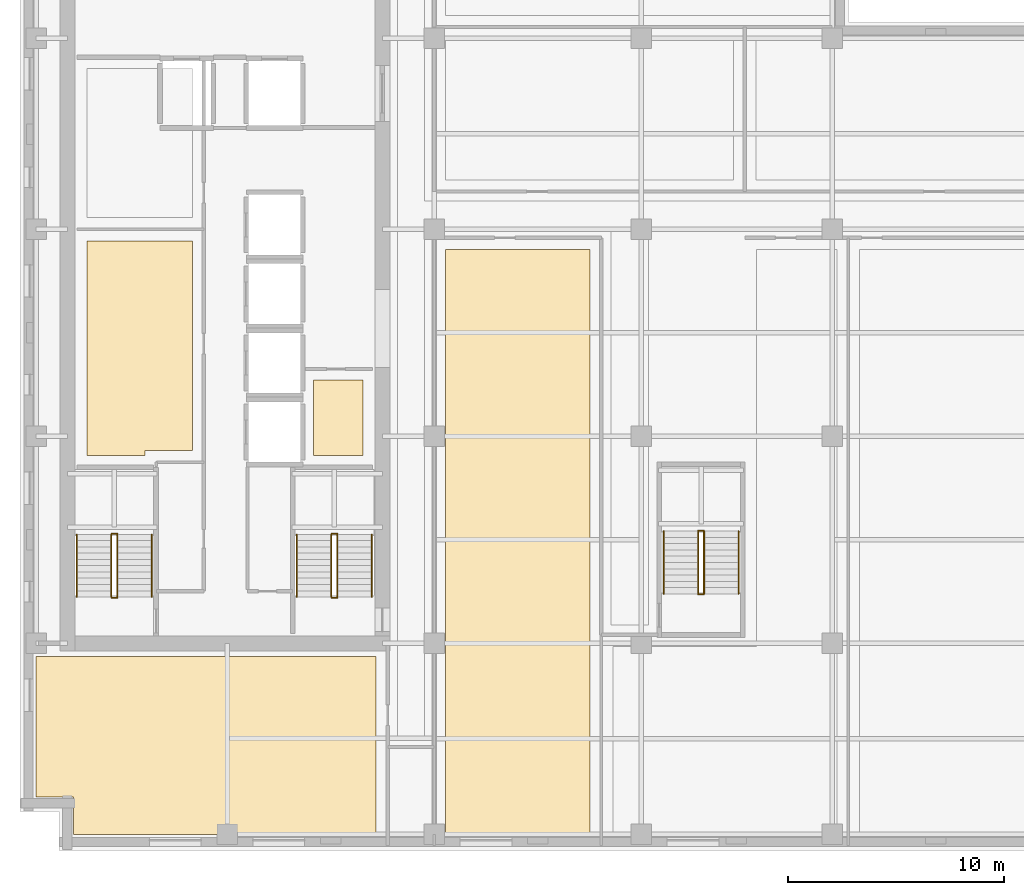
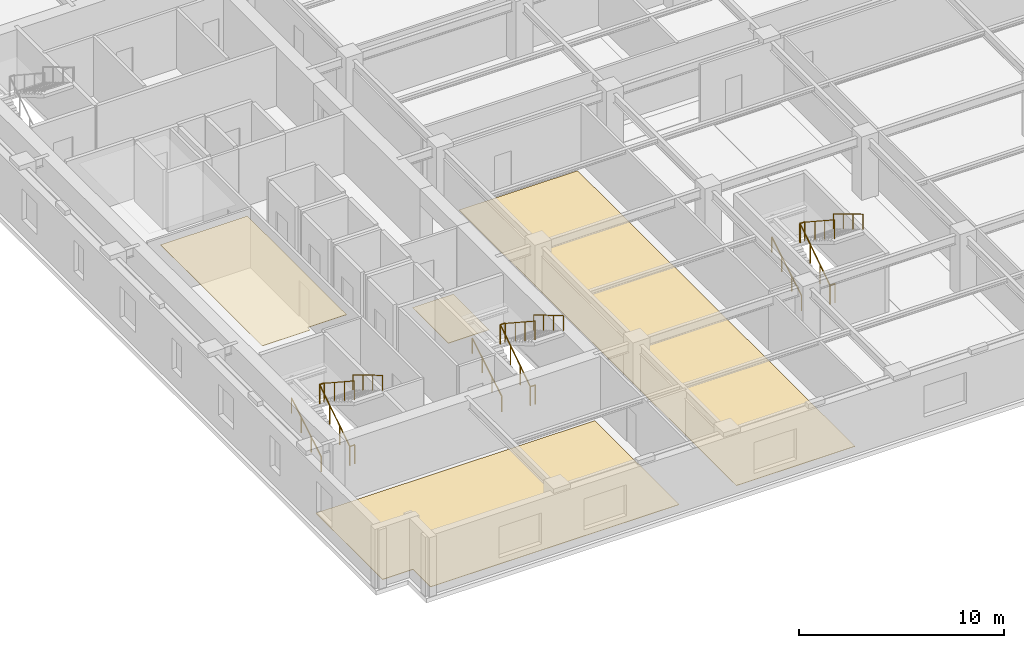
# One storey, part 8 of 12: 18 railings, 4 coverings.
"""IFC4 building model written with IfcOpenShell, lengths in metres."""

import ifcopenshell
import ifcopenshell.guid

model = None  # the IFC model being written
_history = None  # IfcOwnerHistory: only IFC2X3 demands one
_inside = {}  # id of a spatial element -> (the spatial element, [elements in it])
_under = {}  # id of a project, library or spatial element -> (it, [spatial elements below it])
_declared = {}  # id of a project -> (the project, [libraries it declares])
_typed = {}  # id of a type object -> (the type object, [elements of that type])
_made_of = {}  # id of a material, layer set ... -> (it, [elements and type objects made of it])


def new_model(schema):
    """Start an empty IFC model of exactly this schema.

    Asked for "IFC4X3", IfcOpenShell would pick the latest addendum, in which some entities
    have other attributes; the version numbers below select the first issue.
    IFC2X3 requires an IfcOwnerHistory on every rooted entity: one is made here for all.
    """
    global model, _history
    if schema == "IFC4X3":
        model = ifcopenshell.file(schema_version=(4, 3, 0, 0))
    else:
        model = ifcopenshell.file(schema=schema)
    _inside.clear()
    _under.clear()
    _declared.clear()
    _typed.clear()
    _made_of.clear()
    _history = None
    if model.schema == "IFC2X3":
        org = make("IfcOrganization", Name="unknown")
        user = make(
            "IfcPersonAndOrganization",
            ThePerson=make("IfcPerson", FamilyName="unknown"),
            TheOrganization=org,
        )
        app = make(
            "IfcApplication",
            ApplicationDeveloper=org,
            Version="unknown",
            ApplicationFullName="unknown",
            ApplicationIdentifier="unknown",
        )
        _history = make(
            "IfcOwnerHistory",
            OwningUser=user,
            OwningApplication=app,
            ChangeAction="ADDED",
            CreationDate=0,
        )
    return model


def make(cls, **values):
    """One entity of the class cls with the attributes given. An attribute that is None is left unset."""
    return model.create_entity(
        cls, **{name: value for name, value in values.items() if value is not None}
    )


def rooted(cls, **values):
    """An entity with a GlobalId (a new one), such as an element, a storey or a relation."""
    return make(cls, GlobalId=ifcopenshell.guid.new(), OwnerHistory=_history, **values)


def si_unit(unit_type, name, prefix=None):
    """IfcSIUnit, for example si_unit("LENGTHUNIT", "METRE", prefix="MILLI")."""
    return make("IfcSIUnit", UnitType=unit_type, Prefix=prefix, Name=name)


def assignment(units):
    """IfcUnitAssignment: the units of a project."""
    return None if units is None else make("IfcUnitAssignment", Units=units)


def point(xyz):
    """IfcCartesianPoint."""
    return None if xyz is None else make("IfcCartesianPoint", Coordinates=xyz)


def direction(xyz):
    """IfcDirection."""
    return None if xyz is None else make("IfcDirection", DirectionRatios=xyz)


def frame(location, z_axis=None, x_axis=None):
    """IfcAxis2Placement3D, a coordinate frame: its origin and axes. An axis left out is left unset."""
    return make(
        "IfcAxis2Placement3D",
        Location=point(location),
        Axis=direction(z_axis),
        RefDirection=direction(x_axis),
    )


def frame_2d(location, x_axis=None):
    """IfcAxis2Placement2D, a coordinate frame in the plane: its origin and x axis."""
    return make(
        "IfcAxis2Placement2D", Location=point(location), RefDirection=direction(x_axis)
    )


def origin():
    """The frame at (0, 0, 0) with its axes left unset."""
    return frame((0.0, 0.0, 0.0))


def origin_2d():
    """The frame at (0, 0) in the plane with its x axis left unset."""
    return frame_2d((0.0, 0.0))


def place(relative_to, where):
    """IfcLocalPlacement: puts the frame where relative to a parent placement (None: the world)."""
    return make(
        "IfcLocalPlacement", PlacementRelTo=relative_to, RelativePlacement=where
    )


def context(
    kind, dimensions, precision=None, world=None, true_north=None, identifier=None
):
    """IfcGeometricRepresentationContext, for example the 3D "Model" context."""
    return make(
        "IfcGeometricRepresentationContext",
        ContextIdentifier=identifier,
        ContextType=kind,
        CoordinateSpaceDimension=dimensions,
        Precision=precision,
        WorldCoordinateSystem=world,
        TrueNorth=true_north,
    )


def subcontext(parent, identifier, kind, view, scale=None):
    """IfcGeometricRepresentationSubContext, for example "Body" below "Model"."""
    return make(
        "IfcGeometricRepresentationSubContext",
        ContextIdentifier=identifier,
        ContextType=kind,
        ParentContext=parent,
        TargetScale=scale,
        TargetView=view,
    )


def project(units=None, contexts=None):
    """IfcProject with its units and contexts."""
    return rooted(
        "IfcProject",
        Name="project",
        RepresentationContexts=contexts,
        UnitsInContext=assignment(units),
    )


def spatial(cls, under=None, at=None, **own):
    """A site, building, storey or space (cls), placed at a placement, below another one or the project."""
    s = rooted(cls, ObjectPlacement=at, **own)
    if under is not None:
        _under.setdefault(under.id(), (under, []))[1].append(s)
    return s


def polyline(points):
    """IfcPolyline through the points."""
    return make("IfcPolyline", Points=[point(p) for p in points])


def profile(cls, at=None, kind="AREA", **sizes):
    """A parametric profile (cls). Its sizes go by their IFC names, for example OverallWidth=200.0."""
    return make(cls, ProfileType=kind, Position=at, **sizes)


def circle(**sizes):
    """IfcCircleProfileDef."""
    return profile("IfcCircleProfileDef", **sizes)


def outline(outer, holes=None, kind="AREA"):
    """IfcArbitraryClosedProfileDef: a profile drawn as a closed curve; with holes, ...WithVoids."""
    if holes is None:
        return make("IfcArbitraryClosedProfileDef", ProfileType=kind, OuterCurve=outer)
    return make(
        "IfcArbitraryProfileDefWithVoids",
        ProfileType=kind,
        OuterCurve=outer,
        InnerCurves=holes,
    )


def extrude(swept, where, along, depth):
    """IfcExtrudedAreaSolid: the profile swept, set in the frame where, extruded along a direction by depth."""
    return make(
        "IfcExtrudedAreaSolid",
        SweptArea=swept,
        Position=where,
        ExtrudedDirection=direction(along),
        Depth=depth,
    )


def shape(context_of_items, identifier, shape_type, items):
    """IfcShapeRepresentation: the items that make up one representation, for example the "Body"."""
    return make(
        "IfcShapeRepresentation",
        ContextOfItems=context_of_items,
        RepresentationIdentifier=identifier,
        RepresentationType=shape_type,
        Items=items,
    )


def material(Name=None, Category=None):
    """IfcMaterial."""
    return make("IfcMaterial", Name=Name, Category=Category)


def layer(
    of_material, thickness, ventilated=None, Name=None, Category=None, Priority=None
):
    """IfcMaterialLayer: one layer of a wall or slab, of a material (None: an air gap)."""
    return make(
        "IfcMaterialLayer",
        Material=of_material,
        LayerThickness=thickness,
        IsVentilated=ventilated,
        Name=Name,
        Category=Category,
        Priority=Priority,
    )


def layer_set(layers, Name=None):
    """IfcMaterialLayerSet."""
    return make("IfcMaterialLayerSet", MaterialLayers=layers, LayerSetName=Name)


def made_of(thing, what):
    """Note that an element or type object is made of a material, layer set ...; save() writes the relation."""
    if what is not None:
        _made_of.setdefault(what.id(), (what, []))[1].append(thing)
    return thing


def type_object(cls, material=None, **own):
    """A type object (cls), such as IfcWallType, which elements share."""
    return made_of(rooted(cls, **own), material)


def element(
    cls,
    number,
    at=None,
    inside=None,
    cuts=None,
    type_object=None,
    material=None,
    context=None,
    identifier="Body",
    shape_type=None,
    held_by="IfcProductDefinitionShape",
    body=None,
    shapes=None,
    **own,
):
    """One element of the class cls, such as IfcWall. Its Tag is "e" and its number.

    at: its placement. inside: the storey or other place that contains it. cuts: it is an
    opening in that element (IfcRelVoidsElement). A single representation is given by context,
    identifier, shape_type and body (its items); several are given by shapes. held_by: the class
    of the entity that holds the representations. save() writes the other relations.
    """
    e = rooted(cls, Tag="e%d" % number, ObjectPlacement=at, **own)
    if body is not None:
        shapes = [shape(context, identifier, shape_type, body)]
    if shapes is not None:
        e.Representation = make(held_by, Representations=shapes)
    if inside is not None:
        _inside.setdefault(inside.id(), (inside, []))[1].append(e)
    if cuts is not None:
        rooted(
            "IfcRelVoidsElement", RelatingBuildingElement=cuts, RelatedOpeningElement=e
        )
    if type_object is not None:
        _typed.setdefault(type_object.id(), (type_object, []))[1].append(e)
    return made_of(e, material)


def aggregate(whole, parts):
    """IfcRelAggregates: a whole, such as a stair, and the parts it consists of."""
    return rooted("IfcRelAggregates", RelatingObject=whole, RelatedObjects=parts)


def save(model, path):
    """Write the relations noted so far, then the file.

    IfcRelAggregates (storeys below a building ...), IfcRelContainedInSpatialStructure (elements
    in a storey), IfcRelDefinesByType, IfcRelAssociatesMaterial and IfcRelDeclares: one each for
    every whole, place, type object, material and project.
    """
    for whole, parts in _under.values():
        aggregate(whole, parts)
    for where, things in _inside.values():
        rooted(
            "IfcRelContainedInSpatialStructure",
            RelatedElements=things,
            RelatingStructure=where,
        )
    for kind, things in _typed.values():
        rooted("IfcRelDefinesByType", RelatedObjects=things, RelatingType=kind)
    for what, things in _made_of.values():
        rooted("IfcRelAssociatesMaterial", RelatedObjects=things, RelatingMaterial=what)
    for by, libraries in _declared.values():
        rooted("IfcRelDeclares", RelatingContext=by, RelatedDefinitions=libraries)
    model.write(path)


model = new_model("IFC4")

# Units and contexts
model_context = context("Model", 3, precision=1e-05, world=origin(), true_north=direction((0.0, 1.0)))
body_context = subcontext(model_context, "Body", "Model", "MODEL_VIEW")
ifc_project = project(units=[si_unit("LENGTHUNIT", "METRE"), si_unit("AREAUNIT", "SQUARE_METRE"), si_unit("VOLUMEUNIT", "CUBIC_METRE"), si_unit("PLANEANGLEUNIT", "RADIAN"), si_unit("MASSUNIT", "GRAM", prefix="KILO")], contexts=[model_context])

# Site, building, storey
site_placement = place(None, origin())
site = spatial("IfcSite", under=ifc_project, at=site_placement, CompositionType="ELEMENT")
building_placement = place(site_placement, origin())
building = spatial("IfcBuilding", under=site, at=building_placement, Name="Norrvale University Quadrangle", CompositionType="ELEMENT")
storey_placement = place(building_placement, frame((0.0, 0.0, 182.60009765625)))
storey = spatial("IfcBuildingStorey", under=building, at=storey_placement, Name="L46", CompositionType="ELEMENT", Elevation=182.60009765625)

# Coverings
ifc_material_1 = material(Name="Perforated Acoustic Mineral Ceiling")
ifc_layer_1 = layer(ifc_material_1, 0.02490234375, Name="Perforated Acoustic Mineral Ceiling")
ifc_layer_set_1 = layer_set([ifc_layer_1], Name="Perforated Acoustic Mineral Ceiling")
covering_type_1 = type_object("IfcCoveringType", Name="Covering Acoustic Ceiling 25", PredefinedType="CEILING", material=ifc_layer_set_1)
covering_1_placement = place(storey_placement, frame((0.0, 0.0, 3.514892578125)))
element("IfcCovering", 1, at=covering_1_placement, inside=storey, type_object=covering_type_1, Name="Acoustic Ceiling RM-L46-REC2", PredefinedType="CEILING", context=body_context, shape_type="SweptSolid", body=[
    extrude(outline(polyline([(3.10009765625, 18.300048828125), (3.10009765625, 28.25), (8.0, 28.25), (8.0, 18.550048828125), (5.800048828125, 18.550048828125), (5.800048828125, 18.300048828125), (3.10009765625, 18.300048828125)])), origin(), (0.0, 0.0, 1.0), 0.02490234375),
])
ifc_material_2 = material(Name="Polished Terrazzo Flooring")
ifc_layer_2 = layer(ifc_material_2, 0.02490234375, Name="Polished Terrazzo Flooring")
ifc_layer_set_2 = layer_set([ifc_layer_2], Name="Polished Terrazzo Flooring")
covering_type_2 = type_object("IfcCoveringType", Name="Covering Terrazzo Floor 30", PredefinedType="FLOORING", material=ifc_layer_set_2)
covering_2_placement = place(storey_placement, origin())
element("IfcCovering", 2, at=covering_2_placement, inside=storey, type_object=covering_type_2, Name="Terrazzo Flooring RM-L46-JAN", PredefinedType="FLOORING", context=body_context, shape_type="SweptSolid", body=[
    extrude(outline(polyline([(13.60009765625, 18.300048828125), (13.60009765625, 21.800048828125), (15.89990234375, 21.800048828125), (15.89990234375, 18.300048828125), (13.60009765625, 18.300048828125)])), origin(), (0.0, 0.0, 1.0), 0.02490234375),
])
covering_3_placement = place(storey_placement, origin())
element("IfcCovering", 3, at=covering_3_placement, inside=storey, type_object=covering_type_2, Name="Terrazzo Flooring RM-L46-SW1", PredefinedType="FLOORING", context=body_context, shape_type="SweptSolid", body=[
    extrude(outline(polyline([(0.75, 9.0), (16.5, 9.0), (16.5, 0.75), (2.469970703125, 0.75), (2.469970703125, 2.469970703125), (0.75, 2.469970703125), (0.75, 9.0)])), origin(), (0.0, 0.0, 1.0), 0.02490234375),
])
covering_4_placement = place(storey_placement, origin())
element("IfcCovering", 4, at=covering_4_placement, inside=storey, type_object=covering_type_2, Name="Terrazzo Flooring RM-L46-SE1", PredefinedType="FLOORING", context=body_context, shape_type="SweptSolid", body=[
    extrude(outline(polyline([(19.72998046875, 27.8701171875), (26.419921875, 27.8701171875), (26.419921875, 0.75), (19.72998046875, 0.75), (19.72998046875, 27.8701171875)])), origin(), (0.0, 0.0, 1.0), 0.02490234375),
])

# Railings
ifc_material_3 = material(Name="Steel 350W Painted Balustrade", Category="steel")
railing_type_1 = type_object("IfcRailingType", Name="Railing Stair Guard 1100", PredefinedType="GUARDRAIL", material=ifc_material_3)
for number, where, name in (
    (5, (4.239990234375, 11.719970703125, 0.0), "Stair Floor Well Guard ST-01 L46"),
    (6, (4.239990234375, 14.679931640625, 1.89990234375), "Stair Mid-Landing Slot Guard ST-01 L46"),
):
    element("IfcRailing", number, at=place(storey_placement, frame(where)), inside=storey, type_object=railing_type_1, Name=name, PredefinedType="GUARDRAIL", context=body_context, shape_type="SweptSolid", body=[
        extrude(circle(Radius=0.02392578125, at=origin_2d()), frame((0.0, 0.0, 1.1259765625), z_axis=(1.0, 0.0, 0.0), x_axis=(0.0, 1.0, 0.0)), (0.0, 0.0, 1.0), 0.27001953125),
        extrude(circle(Radius=0.02099609375, at=origin_2d()), origin(), (0.0, 0.0, 1.0), 1.101806640625),
        extrude(circle(Radius=0.02099609375, at=origin_2d()), frame((0.27001953125, 0.0, 0.0)), (0.0, 0.0, 1.0), 1.101806640625),
    ])
railing_1_placement = place(storey_placement, frame((4.239990234375, 11.75, 0.0)))
element("IfcRailing", 7, at=railing_1_placement, inside=storey, type_object=railing_type_1, Name="Stair Lower Flight Inner Guard ST-01 L46", PredefinedType="GUARDRAIL", context=body_context, shape_type="SweptSolid", body=[
    extrude(circle(Radius=0.02392578125, at=origin_2d()), frame((0.0, 0.0, 1.1259765625), z_axis=(0.0, 0.836465582154, 0.548019461216), x_axis=(-1.0, 0.0, 0.0)), (0.0, 0.0, 1.0), 3.466796875),
    extrude(circle(Radius=0.02099609375, at=origin_2d()), origin(), (0.0, 0.0, 1.0), 1.101806640625),
    extrude(circle(Radius=0.02099609375, at=origin_2d()), frame((0.0, 0.966552734375, 0.63330078125)), (0.0, 0.0, 1.0), 1.101806640625),
    extrude(circle(Radius=0.02099609375, at=origin_2d()), frame((0.0, 1.933349609375, 1.2666015625)), (0.0, 0.0, 1.0), 1.101806640625),
    extrude(circle(Radius=0.02099609375, at=origin_2d()), frame((0.0, 2.89990234375, 1.89990234375)), (0.0, 0.0, 1.0), 1.101806640625),
])
railing_2_placement = place(storey_placement, frame((4.510009765625, 14.64990234375, 1.89990234375)))
element("IfcRailing", 8, at=railing_2_placement, inside=storey, type_object=railing_type_1, Name="Stair Upper Flight Inner Guard ST-01 L46", PredefinedType="GUARDRAIL", context=body_context, shape_type="SweptSolid", body=[
    extrude(circle(Radius=0.02392578125, at=origin_2d()), frame((0.0, 0.0, 1.1259765625), z_axis=(0.0, -0.836465582154, 0.548019461216), x_axis=(1.0, 0.0, 0.0)), (0.0, 0.0, 1.0), 3.466796875),
    extrude(circle(Radius=0.02099609375, at=origin_2d()), origin(), (0.0, 0.0, 1.0), 1.101806640625),
    extrude(circle(Radius=0.02099609375, at=origin_2d()), frame((0.0, -0.966552734375, 0.63330078125)), (0.0, 0.0, 1.0), 1.101806640625),
    extrude(circle(Radius=0.02099609375, at=origin_2d()), frame((0.0, -1.933349609375, 1.2666015625)), (0.0, 0.0, 1.0), 1.101806640625),
    extrude(circle(Radius=0.02099609375, at=origin_2d()), frame((0.0, -2.89990234375, 1.89990234375)), (0.0, 0.0, 1.0), 1.101806640625),
])
for number, where, name in (
    (9, (14.43994140625, 11.719970703125, 0.0), "Stair Floor Well Guard ST-03 L46"),
    (10, (14.43994140625, 14.679931640625, 1.89990234375), "Stair Mid-Landing Slot Guard ST-03 L46"),
):
    element("IfcRailing", number, at=place(storey_placement, frame(where)), inside=storey, type_object=railing_type_1, Name=name, PredefinedType="GUARDRAIL", context=body_context, shape_type="SweptSolid", body=[
        extrude(circle(Radius=0.02392578125, at=origin_2d()), frame((0.0, 0.0, 1.1259765625), z_axis=(1.0, 0.0, 0.0), x_axis=(0.0, 1.0, 0.0)), (0.0, 0.0, 1.0), 0.27001953125),
        extrude(circle(Radius=0.02099609375, at=origin_2d()), origin(), (0.0, 0.0, 1.0), 1.101806640625),
        extrude(circle(Radius=0.02099609375, at=origin_2d()), frame((0.27001953125, 0.0, 0.0)), (0.0, 0.0, 1.0), 1.101806640625),
    ])
railing_3_placement = place(storey_placement, frame((14.43994140625, 11.75, 0.0)))
element("IfcRailing", 11, at=railing_3_placement, inside=storey, type_object=railing_type_1, Name="Stair Lower Flight Inner Guard ST-03 L46", PredefinedType="GUARDRAIL", context=body_context, shape_type="SweptSolid", body=[
    extrude(circle(Radius=0.02392578125, at=origin_2d()), frame((0.0, 0.0, 1.1259765625), z_axis=(0.0, 0.836465582154, 0.548019461216), x_axis=(-1.0, 0.0, 0.0)), (0.0, 0.0, 1.0), 3.466796875),
    extrude(circle(Radius=0.02099609375, at=origin_2d()), origin(), (0.0, 0.0, 1.0), 1.101806640625),
    extrude(circle(Radius=0.02099609375, at=origin_2d()), frame((0.0, 0.966552734375, 0.63330078125)), (0.0, 0.0, 1.0), 1.101806640625),
    extrude(circle(Radius=0.02099609375, at=origin_2d()), frame((0.0, 1.933349609375, 1.2666015625)), (0.0, 0.0, 1.0), 1.101806640625),
    extrude(circle(Radius=0.02099609375, at=origin_2d()), frame((0.0, 2.89990234375, 1.89990234375)), (0.0, 0.0, 1.0), 1.101806640625),
])
railing_4_placement = place(storey_placement, frame((14.7099609375, 14.64990234375, 1.89990234375)))
element("IfcRailing", 12, at=railing_4_placement, inside=storey, type_object=railing_type_1, Name="Stair Upper Flight Inner Guard ST-03 L46", PredefinedType="GUARDRAIL", context=body_context, shape_type="SweptSolid", body=[
    extrude(circle(Radius=0.02392578125, at=origin_2d()), frame((0.0, 0.0, 1.1259765625), z_axis=(0.0, -0.836465582154, 0.548019461216), x_axis=(1.0, 0.0, 0.0)), (0.0, 0.0, 1.0), 3.466796875),
    extrude(circle(Radius=0.02099609375, at=origin_2d()), origin(), (0.0, 0.0, 1.0), 1.101806640625),
    extrude(circle(Radius=0.02099609375, at=origin_2d()), frame((0.0, -0.966552734375, 0.63330078125)), (0.0, 0.0, 1.0), 1.101806640625),
    extrude(circle(Radius=0.02099609375, at=origin_2d()), frame((0.0, -1.933349609375, 1.2666015625)), (0.0, 0.0, 1.0), 1.101806640625),
    extrude(circle(Radius=0.02099609375, at=origin_2d()), frame((0.0, -2.89990234375, 1.89990234375)), (0.0, 0.0, 1.0), 1.101806640625),
])
for number, where, name in (
    (13, (31.43994140625, 11.8701171875, 0.0), "Stair Floor Well Guard ST-04 L46"),
    (14, (31.43994140625, 14.830078125, 1.89990234375), "Stair Mid-Landing Slot Guard ST-04 L46"),
):
    element("IfcRailing", number, at=place(storey_placement, frame(where)), inside=storey, type_object=railing_type_1, Name=name, PredefinedType="GUARDRAIL", context=body_context, shape_type="SweptSolid", body=[
        extrude(circle(Radius=0.02392578125, at=origin_2d()), frame((0.0, 0.0, 1.1259765625), z_axis=(1.0, 0.0, 0.0), x_axis=(0.0, 1.0, 0.0)), (0.0, 0.0, 1.0), 0.27001953125),
        extrude(circle(Radius=0.02099609375, at=origin_2d()), origin(), (0.0, 0.0, 1.0), 1.101806640625),
        extrude(circle(Radius=0.02099609375, at=origin_2d()), frame((0.27001953125, 0.0, 0.0)), (0.0, 0.0, 1.0), 1.101806640625),
    ])
railing_5_placement = place(storey_placement, frame((31.43994140625, 11.89990234375, 0.0)))
element("IfcRailing", 15, at=railing_5_placement, inside=storey, type_object=railing_type_1, Name="Stair Lower Flight Inner Guard ST-04 L46", PredefinedType="GUARDRAIL", context=body_context, shape_type="SweptSolid", body=[
    extrude(circle(Radius=0.02392578125, at=origin_2d()), frame((0.0, 0.0, 1.1259765625), z_axis=(0.0, 0.836486729621, 0.547987181573), x_axis=(-1.0, 0.0, 0.0)), (0.0, 0.0, 1.0), 3.467041015625),
    extrude(circle(Radius=0.02099609375, at=origin_2d()), origin(), (0.0, 0.0, 1.0), 1.101806640625),
    extrude(circle(Radius=0.02099609375, at=origin_2d()), frame((0.0, 0.966796875, 0.63330078125)), (0.0, 0.0, 1.0), 1.101806640625),
    extrude(circle(Radius=0.02099609375, at=origin_2d()), frame((0.0, 1.933349609375, 1.2666015625)), (0.0, 0.0, 1.0), 1.101806640625),
    extrude(circle(Radius=0.02099609375, at=origin_2d()), frame((0.0, 2.900146484375, 1.89990234375)), (0.0, 0.0, 1.0), 1.101806640625),
])
railing_6_placement = place(storey_placement, frame((31.7099609375, 14.800048828125, 1.89990234375)))
element("IfcRailing", 16, at=railing_6_placement, inside=storey, type_object=railing_type_1, Name="Stair Upper Flight Inner Guard ST-04 L46", PredefinedType="GUARDRAIL", context=body_context, shape_type="SweptSolid", body=[
    extrude(circle(Radius=0.02392578125, at=origin_2d()), frame((0.0, 0.0, 1.1259765625), z_axis=(0.0, -0.836486729621, 0.547987181573), x_axis=(1.0, 0.0, 0.0)), (0.0, 0.0, 1.0), 3.467041015625),
    extrude(circle(Radius=0.02099609375, at=origin_2d()), origin(), (0.0, 0.0, 1.0), 1.101806640625),
    extrude(circle(Radius=0.02099609375, at=origin_2d()), frame((0.0, -0.966796875, 0.63330078125)), (0.0, 0.0, 1.0), 1.101806640625),
    extrude(circle(Radius=0.02099609375, at=origin_2d()), frame((0.0, -1.933349609375, 1.2666015625)), (0.0, 0.0, 1.0), 1.101806640625),
    extrude(circle(Radius=0.02099609375, at=origin_2d()), frame((0.0, -2.900146484375, 1.89990234375)), (0.0, 0.0, 1.0), 1.101806640625),
])
ifc_material_4 = material(Name="Stainless Steel 316L Handrail", Category="steel")
railing_type_2 = type_object("IfcRailingType", Name="Railing Stair Handrail 920", PredefinedType="HANDRAIL", material=ifc_material_4)
railing_7_placement = place(storey_placement, frame((2.639892578125, 11.75, 0.172607421875)))
element("IfcRailing", 17, at=railing_7_placement, inside=storey, type_object=railing_type_2, Name="Stair Lower Flight Handrail ST-01 L46", PredefinedType="HANDRAIL", context=body_context, shape_type="SweptSolid", body=[
    extrude(circle(Radius=0.02392578125, at=origin_2d()), frame((0.0, 0.0, 0.89599609375), z_axis=(0.0, 0.859141464434, 0.511738159696), x_axis=(-1.0, 0.0, 0.0)), (0.0, 0.0, 1.0), 3.375244140625),
    extrude(circle(Radius=0.02099609375, at=origin_2d()), origin(), (0.0, 0.0, 1.0), 0.871826171875),
    extrude(circle(Radius=0.02099609375, at=origin_2d()), frame((0.0, 0.966552734375, 0.57568359375)), (0.0, 0.0, 1.0), 0.871826171875),
    extrude(circle(Radius=0.02099609375, at=origin_2d()), frame((0.0, 1.933349609375, 1.151611328125)), (0.0, 0.0, 1.0), 0.871826171875),
    extrude(circle(Radius=0.02099609375, at=origin_2d()), frame((0.0, 2.89990234375, 1.727294921875)), (0.0, 0.0, 1.0), 0.871826171875),
])
railing_8_placement = place(storey_placement, frame((6.110107421875, 14.64990234375, 2.072509765625)))
element("IfcRailing", 18, at=railing_8_placement, inside=storey, type_object=railing_type_2, Name="Stair Upper Flight Handrail ST-01 L46", PredefinedType="HANDRAIL", context=body_context, shape_type="SweptSolid", body=[
    extrude(circle(Radius=0.02392578125, at=origin_2d()), frame((0.0, 0.0, 0.89599609375), z_axis=(0.0, -0.859141464434, 0.511738159696), x_axis=(1.0, 0.0, 0.0)), (0.0, 0.0, 1.0), 3.375244140625),
    extrude(circle(Radius=0.02099609375, at=origin_2d()), origin(), (0.0, 0.0, 1.0), 0.871826171875),
    extrude(circle(Radius=0.02099609375, at=origin_2d()), frame((0.0, -0.966552734375, 0.57568359375)), (0.0, 0.0, 1.0), 0.871826171875),
    extrude(circle(Radius=0.02099609375, at=origin_2d()), frame((0.0, -1.933349609375, 1.151611328125)), (0.0, 0.0, 1.0), 0.871826171875),
    extrude(circle(Radius=0.02099609375, at=origin_2d()), frame((0.0, -2.89990234375, 1.727294921875)), (0.0, 0.0, 1.0), 0.871826171875),
])
railing_9_placement = place(storey_placement, frame((12.840087890625, 11.75, 0.172607421875)))
element("IfcRailing", 19, at=railing_9_placement, inside=storey, type_object=railing_type_2, Name="Stair Lower Flight Handrail ST-03 L46", PredefinedType="HANDRAIL", context=body_context, shape_type="SweptSolid", body=[
    extrude(circle(Radius=0.02392578125, at=origin_2d()), frame((0.0, 0.0, 0.89599609375), z_axis=(0.0, 0.859141464434, 0.511738159696), x_axis=(-1.0, 0.0, 0.0)), (0.0, 0.0, 1.0), 3.375244140625),
    extrude(circle(Radius=0.02099609375, at=origin_2d()), origin(), (0.0, 0.0, 1.0), 0.871826171875),
    extrude(circle(Radius=0.02099609375, at=origin_2d()), frame((0.0, 0.966552734375, 0.57568359375)), (0.0, 0.0, 1.0), 0.871826171875),
    extrude(circle(Radius=0.02099609375, at=origin_2d()), frame((0.0, 1.933349609375, 1.151611328125)), (0.0, 0.0, 1.0), 0.871826171875),
    extrude(circle(Radius=0.02099609375, at=origin_2d()), frame((0.0, 2.89990234375, 1.727294921875)), (0.0, 0.0, 1.0), 0.871826171875),
])
railing_10_placement = place(storey_placement, frame((16.31005859375, 14.64990234375, 2.072509765625)))
element("IfcRailing", 20, at=railing_10_placement, inside=storey, type_object=railing_type_2, Name="Stair Upper Flight Handrail ST-03 L46", PredefinedType="HANDRAIL", context=body_context, shape_type="SweptSolid", body=[
    extrude(circle(Radius=0.02392578125, at=origin_2d()), frame((0.0, 0.0, 0.89599609375), z_axis=(0.0, -0.859141464434, 0.511738159696), x_axis=(1.0, 0.0, 0.0)), (0.0, 0.0, 1.0), 3.375244140625),
    extrude(circle(Radius=0.02099609375, at=origin_2d()), origin(), (0.0, 0.0, 1.0), 0.871826171875),
    extrude(circle(Radius=0.02099609375, at=origin_2d()), frame((0.0, -0.966552734375, 0.57568359375)), (0.0, 0.0, 1.0), 0.871826171875),
    extrude(circle(Radius=0.02099609375, at=origin_2d()), frame((0.0, -1.933349609375, 1.151611328125)), (0.0, 0.0, 1.0), 0.871826171875),
    extrude(circle(Radius=0.02099609375, at=origin_2d()), frame((0.0, -2.89990234375, 1.727294921875)), (0.0, 0.0, 1.0), 0.871826171875),
])
railing_11_placement = place(storey_placement, frame((29.840087890625, 11.89990234375, 0.172607421875)))
element("IfcRailing", 21, at=railing_11_placement, inside=storey, type_object=railing_type_2, Name="Stair Lower Flight Handrail ST-04 L46", PredefinedType="HANDRAIL", context=body_context, shape_type="SweptSolid", body=[
    extrude(circle(Radius=0.02392578125, at=origin_2d()), frame((0.0, 0.0, 0.89599609375), z_axis=(0.0, 0.859160404282, 0.51170636083), x_axis=(-1.0, 0.0, 0.0)), (0.0, 0.0, 1.0), 3.37548828125),
    extrude(circle(Radius=0.02099609375, at=origin_2d()), origin(), (0.0, 0.0, 1.0), 0.871826171875),
    extrude(circle(Radius=0.02099609375, at=origin_2d()), frame((0.0, 0.966796875, 0.57568359375)), (0.0, 0.0, 1.0), 0.871826171875),
    extrude(circle(Radius=0.02099609375, at=origin_2d()), frame((0.0, 1.933349609375, 1.151611328125)), (0.0, 0.0, 1.0), 0.871826171875),
    extrude(circle(Radius=0.02099609375, at=origin_2d()), frame((0.0, 2.900146484375, 1.727294921875)), (0.0, 0.0, 1.0), 0.871826171875),
])
railing_12_placement = place(storey_placement, frame((33.31005859375, 14.800048828125, 2.072509765625)))
element("IfcRailing", 22, at=railing_12_placement, inside=storey, type_object=railing_type_2, Name="Stair Upper Flight Handrail ST-04 L46", PredefinedType="HANDRAIL", context=body_context, shape_type="SweptSolid", body=[
    extrude(circle(Radius=0.02392578125, at=origin_2d()), frame((0.0, 0.0, 0.89599609375), z_axis=(0.0, -0.859160404282, 0.51170636083), x_axis=(1.0, 0.0, 0.0)), (0.0, 0.0, 1.0), 3.37548828125),
    extrude(circle(Radius=0.02099609375, at=origin_2d()), origin(), (0.0, 0.0, 1.0), 0.871826171875),
    extrude(circle(Radius=0.02099609375, at=origin_2d()), frame((0.0, -0.966796875, 0.57568359375)), (0.0, 0.0, 1.0), 0.871826171875),
    extrude(circle(Radius=0.02099609375, at=origin_2d()), frame((0.0, -1.933349609375, 1.151611328125)), (0.0, 0.0, 1.0), 0.871826171875),
    extrude(circle(Radius=0.02099609375, at=origin_2d()), frame((0.0, -2.900146484375, 1.727294921875)), (0.0, 0.0, 1.0), 0.871826171875),
])

save(model, "model.ifc")
